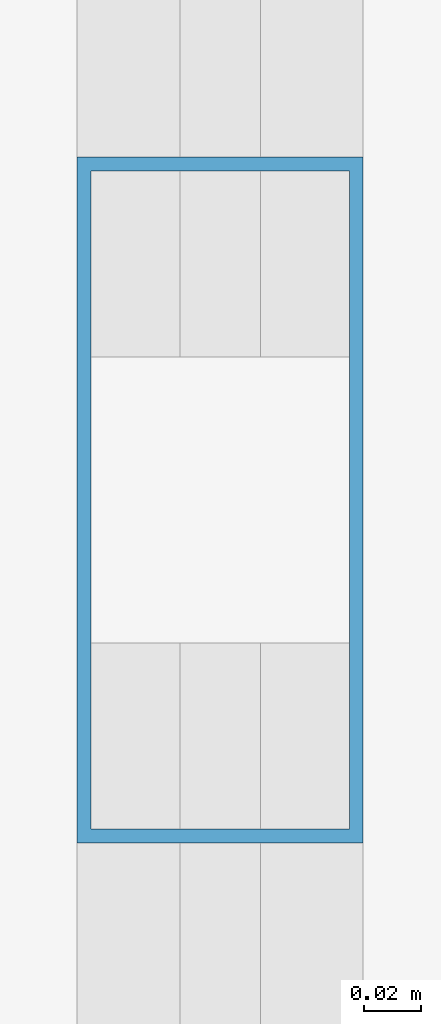
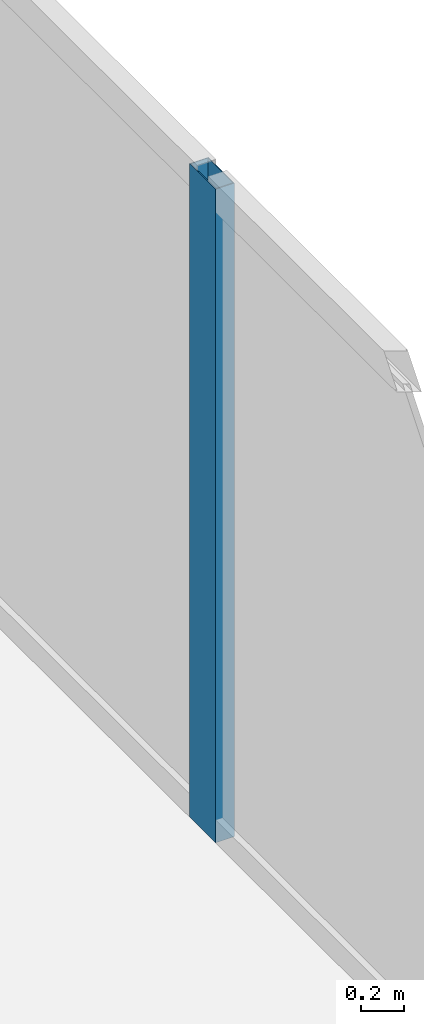
# One storey, part 9 of 27: 1 member, 1 element without a shape of its own.
"""IFC4 building model written with IfcOpenShell, lengths in metres."""

import ifcopenshell
import ifcopenshell.guid

model = None  # the IFC model being written
_history = None  # IfcOwnerHistory: only IFC2X3 demands one
_inside = {}  # id of a spatial element -> (the spatial element, [elements in it])
_under = {}  # id of a project, library or spatial element -> (it, [spatial elements below it])
_declared = {}  # id of a project -> (the project, [libraries it declares])
_typed = {}  # id of a type object -> (the type object, [elements of that type])
_made_of = {}  # id of a material, layer set ... -> (it, [elements and type objects made of it])


def new_model(schema):
    """Start an empty IFC model of exactly this schema.

    Asked for "IFC4X3", IfcOpenShell would pick the latest addendum, in which some entities
    have other attributes; the version numbers below select the first issue.
    IFC2X3 requires an IfcOwnerHistory on every rooted entity: one is made here for all.
    """
    global model, _history
    if schema == "IFC4X3":
        model = ifcopenshell.file(schema_version=(4, 3, 0, 0))
    else:
        model = ifcopenshell.file(schema=schema)
    _inside.clear()
    _under.clear()
    _declared.clear()
    _typed.clear()
    _made_of.clear()
    _history = None
    if model.schema == "IFC2X3":
        org = make("IfcOrganization", Name="unknown")
        user = make(
            "IfcPersonAndOrganization",
            ThePerson=make("IfcPerson", FamilyName="unknown"),
            TheOrganization=org,
        )
        app = make(
            "IfcApplication",
            ApplicationDeveloper=org,
            Version="unknown",
            ApplicationFullName="unknown",
            ApplicationIdentifier="unknown",
        )
        _history = make(
            "IfcOwnerHistory",
            OwningUser=user,
            OwningApplication=app,
            ChangeAction="ADDED",
            CreationDate=0,
        )
    return model


def make(cls, **values):
    """One entity of the class cls with the attributes given. An attribute that is None is left unset."""
    return model.create_entity(
        cls, **{name: value for name, value in values.items() if value is not None}
    )


def rooted(cls, **values):
    """An entity with a GlobalId (a new one), such as an element, a storey or a relation."""
    return make(cls, GlobalId=ifcopenshell.guid.new(), OwnerHistory=_history, **values)


def si_unit(unit_type, name, prefix=None):
    """IfcSIUnit, for example si_unit("LENGTHUNIT", "METRE", prefix="MILLI")."""
    return make("IfcSIUnit", UnitType=unit_type, Prefix=prefix, Name=name)


def assignment(units):
    """IfcUnitAssignment: the units of a project."""
    return None if units is None else make("IfcUnitAssignment", Units=units)


def point(xyz):
    """IfcCartesianPoint."""
    return None if xyz is None else make("IfcCartesianPoint", Coordinates=xyz)


def direction(xyz):
    """IfcDirection."""
    return None if xyz is None else make("IfcDirection", DirectionRatios=xyz)


def frame(location, z_axis=None, x_axis=None):
    """IfcAxis2Placement3D, a coordinate frame: its origin and axes. An axis left out is left unset."""
    return make(
        "IfcAxis2Placement3D",
        Location=point(location),
        Axis=direction(z_axis),
        RefDirection=direction(x_axis),
    )


def frame_2d(location, x_axis=None):
    """IfcAxis2Placement2D, a coordinate frame in the plane: its origin and x axis."""
    return make(
        "IfcAxis2Placement2D", Location=point(location), RefDirection=direction(x_axis)
    )


def origin():
    """The frame at (0, 0, 0) with its axes left unset."""
    return frame((0.0, 0.0, 0.0))


def origin_2d():
    """The frame at (0, 0) in the plane with its x axis left unset."""
    return frame_2d((0.0, 0.0))


def place(relative_to, where):
    """IfcLocalPlacement: puts the frame where relative to a parent placement (None: the world)."""
    return make(
        "IfcLocalPlacement", PlacementRelTo=relative_to, RelativePlacement=where
    )


def context(
    kind, dimensions, precision=None, world=None, true_north=None, identifier=None
):
    """IfcGeometricRepresentationContext, for example the 3D "Model" context."""
    return make(
        "IfcGeometricRepresentationContext",
        ContextIdentifier=identifier,
        ContextType=kind,
        CoordinateSpaceDimension=dimensions,
        Precision=precision,
        WorldCoordinateSystem=world,
        TrueNorth=true_north,
    )


def subcontext(parent, identifier, kind, view, scale=None):
    """IfcGeometricRepresentationSubContext, for example "Body" below "Model"."""
    return make(
        "IfcGeometricRepresentationSubContext",
        ContextIdentifier=identifier,
        ContextType=kind,
        ParentContext=parent,
        TargetScale=scale,
        TargetView=view,
    )


def project(units=None, contexts=None):
    """IfcProject with its units and contexts."""
    return rooted(
        "IfcProject",
        Name="project",
        RepresentationContexts=contexts,
        UnitsInContext=assignment(units),
    )


def spatial(cls, under=None, at=None, **own):
    """A site, building, storey or space (cls), placed at a placement, below another one or the project."""
    s = rooted(cls, ObjectPlacement=at, **own)
    if under is not None:
        _under.setdefault(under.id(), (under, []))[1].append(s)
    return s


def profile(cls, at=None, kind="AREA", **sizes):
    """A parametric profile (cls). Its sizes go by their IFC names, for example OverallWidth=200.0."""
    return make(cls, ProfileType=kind, Position=at, **sizes)


def hollow_rectangle(**sizes):
    """IfcRectangleHollowProfileDef."""
    return profile("IfcRectangleHollowProfileDef", **sizes)


def extrude(swept, where, along, depth):
    """IfcExtrudedAreaSolid: the profile swept, set in the frame where, extruded along a direction by depth."""
    return make(
        "IfcExtrudedAreaSolid",
        SweptArea=swept,
        Position=where,
        ExtrudedDirection=direction(along),
        Depth=depth,
    )


def shape(context_of_items, identifier, shape_type, items):
    """IfcShapeRepresentation: the items that make up one representation, for example the "Body"."""
    return make(
        "IfcShapeRepresentation",
        ContextOfItems=context_of_items,
        RepresentationIdentifier=identifier,
        RepresentationType=shape_type,
        Items=items,
    )


def material(Name=None, Category=None):
    """IfcMaterial."""
    return make("IfcMaterial", Name=Name, Category=Category)


def layer(
    of_material, thickness, ventilated=None, Name=None, Category=None, Priority=None
):
    """IfcMaterialLayer: one layer of a wall or slab, of a material (None: an air gap)."""
    return make(
        "IfcMaterialLayer",
        Material=of_material,
        LayerThickness=thickness,
        IsVentilated=ventilated,
        Name=Name,
        Category=Category,
        Priority=Priority,
    )


def layer_set(layers, Name=None):
    """IfcMaterialLayerSet."""
    return make("IfcMaterialLayerSet", MaterialLayers=layers, LayerSetName=Name)


def material_profile(
    of_material, cross_section, Name=None, Category=None, Priority=None
):
    """IfcMaterialProfile: a cross section and its material."""
    return make(
        "IfcMaterialProfile",
        Name=Name,
        Material=of_material,
        Profile=cross_section,
        Priority=Priority,
        Category=Category,
    )


def profile_set(profiles, Name=None, composite=None):
    """IfcMaterialProfileSet."""
    return make(
        "IfcMaterialProfileSet",
        Name=Name,
        MaterialProfiles=profiles,
        CompositeProfile=composite,
    )


def made_of(thing, what):
    """Note that an element or type object is made of a material, layer set ...; save() writes the relation."""
    if what is not None:
        _made_of.setdefault(what.id(), (what, []))[1].append(thing)
    return thing


def type_object(cls, material=None, **own):
    """A type object (cls), such as IfcWallType, which elements share."""
    return made_of(rooted(cls, **own), material)


def element(
    cls,
    number,
    at=None,
    inside=None,
    cuts=None,
    type_object=None,
    material=None,
    context=None,
    identifier="Body",
    shape_type=None,
    held_by="IfcProductDefinitionShape",
    body=None,
    shapes=None,
    **own,
):
    """One element of the class cls, such as IfcWall. Its Tag is "e" and its number.

    at: its placement. inside: the storey or other place that contains it. cuts: it is an
    opening in that element (IfcRelVoidsElement). A single representation is given by context,
    identifier, shape_type and body (its items); several are given by shapes. held_by: the class
    of the entity that holds the representations. save() writes the other relations.
    """
    e = rooted(cls, Tag="e%d" % number, ObjectPlacement=at, **own)
    if body is not None:
        shapes = [shape(context, identifier, shape_type, body)]
    if shapes is not None:
        e.Representation = make(held_by, Representations=shapes)
    if inside is not None:
        _inside.setdefault(inside.id(), (inside, []))[1].append(e)
    if cuts is not None:
        rooted(
            "IfcRelVoidsElement", RelatingBuildingElement=cuts, RelatedOpeningElement=e
        )
    if type_object is not None:
        _typed.setdefault(type_object.id(), (type_object, []))[1].append(e)
    return made_of(e, material)


def aggregate(whole, parts):
    """IfcRelAggregates: a whole, such as a stair, and the parts it consists of."""
    return rooted("IfcRelAggregates", RelatingObject=whole, RelatedObjects=parts)


def save(model, path):
    """Write the relations noted so far, then the file.

    IfcRelAggregates (storeys below a building ...), IfcRelContainedInSpatialStructure (elements
    in a storey), IfcRelDefinesByType, IfcRelAssociatesMaterial and IfcRelDeclares: one each for
    every whole, place, type object, material and project.
    """
    for whole, parts in _under.values():
        aggregate(whole, parts)
    for where, things in _inside.values():
        rooted(
            "IfcRelContainedInSpatialStructure",
            RelatedElements=things,
            RelatingStructure=where,
        )
    for kind, things in _typed.values():
        rooted("IfcRelDefinesByType", RelatedObjects=things, RelatingType=kind)
    for what, things in _made_of.values():
        rooted("IfcRelAssociatesMaterial", RelatedObjects=things, RelatingMaterial=what)
    for by, libraries in _declared.values():
        rooted("IfcRelDeclares", RelatingContext=by, RelatedDefinitions=libraries)
    model.write(path)


model = new_model("IFC4")

# Units and contexts
model_context = context("Model", 3, precision=1e-05, world=origin(), true_north=direction((0.0, 1.0)))
body_context = subcontext(model_context, "Body", "Model", "MODEL_VIEW")
ifc_project = project(units=[si_unit("LENGTHUNIT", "METRE"), si_unit("AREAUNIT", "SQUARE_METRE"), si_unit("VOLUMEUNIT", "CUBIC_METRE"), si_unit("PLANEANGLEUNIT", "RADIAN"), si_unit("MASSUNIT", "GRAM", prefix="KILO")], contexts=[model_context])

# Site, building, storey
site_placement = place(None, origin())
site = spatial("IfcSite", under=ifc_project, at=site_placement, CompositionType="ELEMENT")
building_placement = place(site_placement, origin())
building = spatial("IfcBuilding", under=site, at=building_placement, Name="Khorvyn Point Tower", CompositionType="ELEMENT")
storey_placement = place(building_placement, frame((0.0, 0.0, 179.699951171875)))
storey = spatial("IfcBuildingStorey", under=building, at=storey_placement, Name="L44", CompositionType="ELEMENT", Elevation=179.699951171875)

# Curtain wall, member
ifc_material_1 = material(Name="Anodised aluminium 6063-T6 and laminated Low-E glass", Category="aluminium")
ifc_layer = layer(ifc_material_1, 0.18994140625)
ifc_layer_set = layer_set([ifc_layer], Name="Stick-Built Acoustic Curtain Wall CW-SYS-03")
curtain_wall_type = type_object("IfcCurtainWallType", Name="Stick-Built Acoustic Curtain Wall CW-SYS-03", PredefinedType="NOTDEFINED", material=ifc_layer_set)
curtain_wall_placement = place(storey_placement, origin())
curtain_wall = element("IfcCurtainWall", 1, at=curtain_wall_placement, inside=storey, type_object=curtain_wall_type, Name="Curtain Wall", PredefinedType="NOTDEFINED")
ifc_material_2 = material(Name="Anodised aluminium 6063-T6", Category="aluminium")
ifc_material_profile = material_profile(ifc_material_2, hollow_rectangle(XDim=0.10009765625, YDim=0.239990234375, WallThickness=0.0048828125, at=origin_2d()))
ifc_profile_set = profile_set([ifc_material_profile], Name="Anodised aluminium 6063-T6 ALU-MUL-100x240")
member_type = type_object("IfcMemberType", Name="Anodised Aluminium 6063-T6 Mullion ALU-MUL-100x240", PredefinedType="MULLION", material=ifc_profile_set)
member_placement = place(storey_placement, frame((21.75, 0.0, 0.0), z_axis=(0.0, 0.0, 1.0), x_axis=(1.0, 0.0, 0.0)))
member = element("IfcMember", 2, at=member_placement, type_object=member_type, Name="Transom", PredefinedType="MULLION", context=body_context, shape_type="SweptSolid", body=[
    extrude(hollow_rectangle(XDim=0.10009765625, YDim=0.239990234375, WallThickness=0.0048828125, at=origin_2d()), origin(), (0.0, 0.0, 1.0), 3.679931640625),
])
aggregate(curtain_wall, [member])

save(model, "model.ifc")
